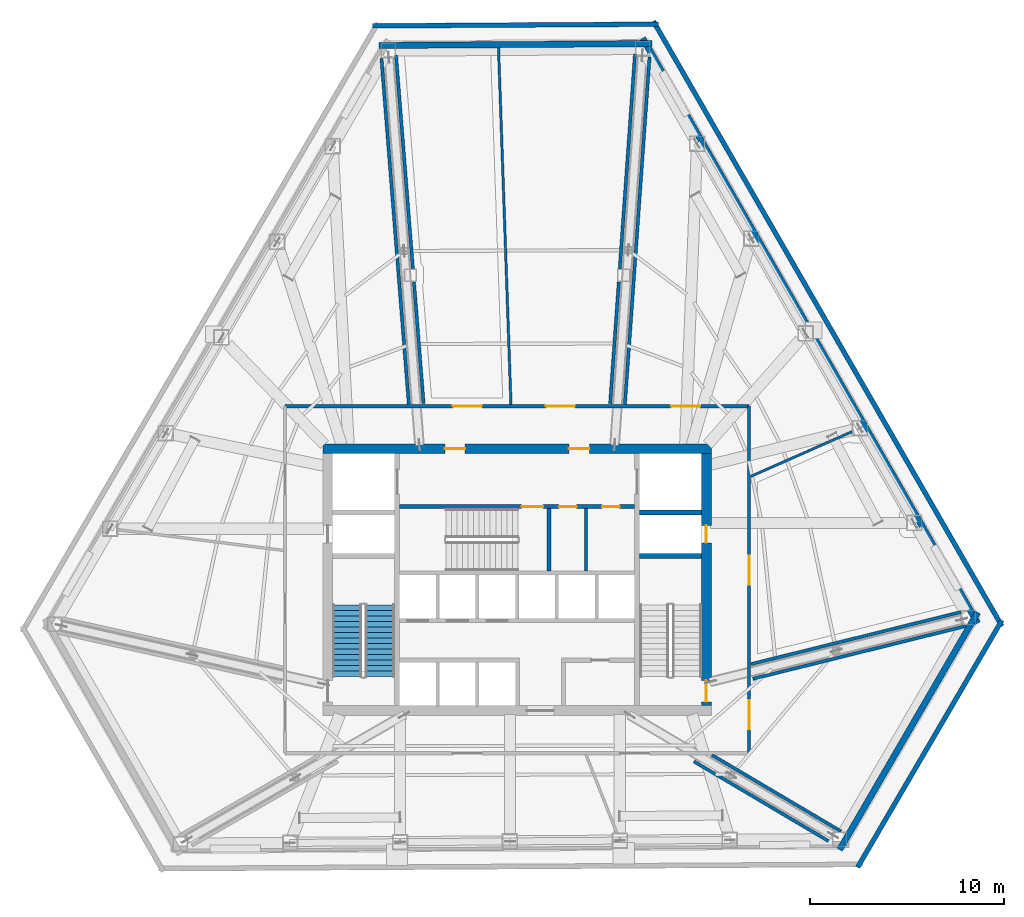
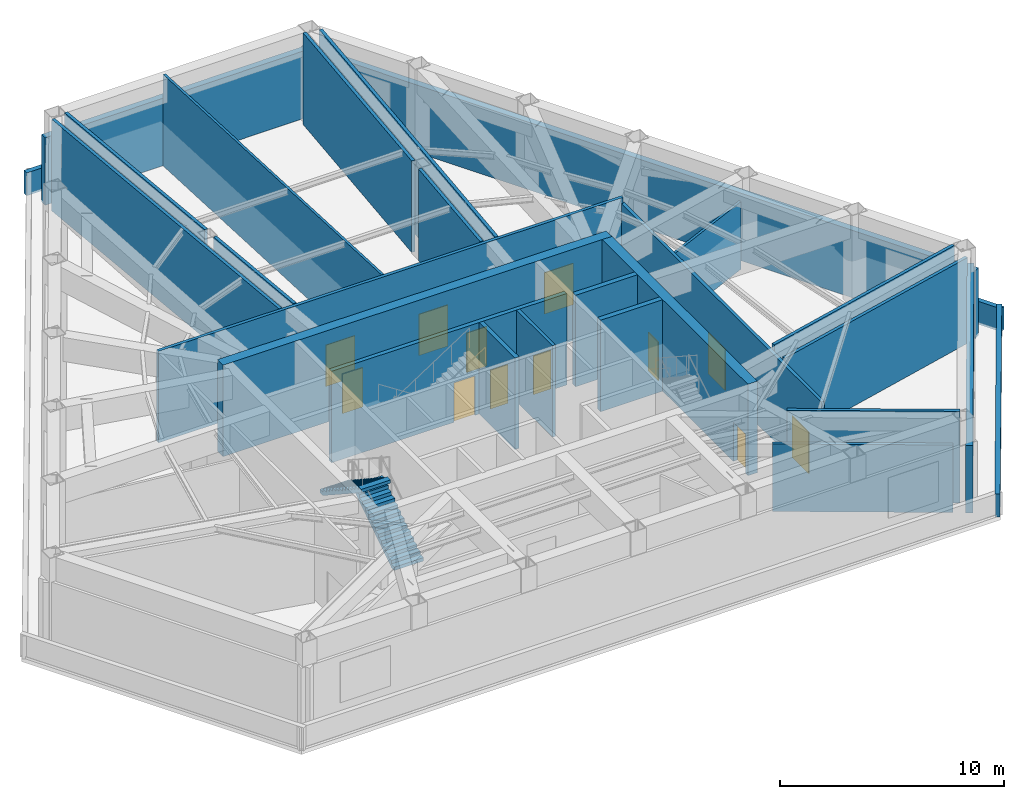
# One storey, part 9 of 12: 27 walls, 12 doors, 2 stair flights, 12 openings, 1 element without a shape of its own.
"""IFC4 building model written with IfcOpenShell, lengths in metres."""

from ifc_helpers import new_model, si_unit, direction, frame, frame_2d, origin, place, context, subcontext, project, spatial, polyline, rectangle, outline, extrude, material, layer, layer_set, type_object, element, fill, aggregate, save


model = new_model("IFC4")

# Units and contexts
model_context = context("Model", 3, precision=1e-05, world=origin(), true_north=direction((0.0, 1.0)))
body_context = subcontext(model_context, "Body", "Model", "MODEL_VIEW")
ifc_project = project(units=[si_unit("LENGTHUNIT", "METRE"), si_unit("AREAUNIT", "SQUARE_METRE"), si_unit("VOLUMEUNIT", "CUBIC_METRE"), si_unit("PLANEANGLEUNIT", "RADIAN"), si_unit("MASSUNIT", "GRAM", prefix="KILO")], contexts=[model_context])

# Site, building, storey
site_placement = place(None, origin())
site = spatial("IfcSite", under=ifc_project, at=site_placement, CompositionType="ELEMENT")
building_placement = place(site_placement, origin())
building = spatial("IfcBuilding", under=site, at=building_placement, Name="Kavelnor Concourse Tower", CompositionType="ELEMENT")
storey_placement = place(building_placement, frame((0.0, 0.0, 75.300048828125)))
storey = spatial("IfcBuildingStorey", under=building, at=storey_placement, Name="L19", CompositionType="ELEMENT", Elevation=75.300048828125)

# Wall, openings, doors
ifc_material_1 = material(Name="Concrete C60/75", Category="concrete")
ifc_layer_1 = layer(ifc_material_1, 0.5, Name="Concrete C60/75")
ifc_layer_set_1 = layer_set([ifc_layer_1], Name="Concrete C60/75")
wall_type_1 = type_object("IfcWallType", Name="WL-CORE-Z2-500", PredefinedType="SOLIDWALL", material=ifc_layer_set_1)
wall_1_placement = place(storey_placement, frame((27.97998046875, 22.85009765625, 0.0), z_axis=(0.0, 0.0, 1.0), x_axis=(1.0, 0.0, 0.0)))
wall_1 = element("IfcWall", 1, at=wall_1_placement, inside=storey, type_object=wall_type_1, Name="L19 Central Core North Shear Wall", PredefinedType="SOLIDWALL", context=body_context, shape_type="SweptSolid", body=[
    extrude(rectangle(XDim=20.0400390625, YDim=0.5, at=frame_2d((10.02001953125, 0.0))), origin(), (0.0, 0.0, 1.0), 4.98486328125),
])
opening_1_placement = place(wall_1_placement, frame((6.294921875, 0.0, 0.0)))
opening_1 = element("IfcOpeningElement", 2, at=opening_1_placement, cuts=wall_1, Name="Opening FD-105", PredefinedType="OPENING", context=body_context, shape_type="SweptSolid", body=[
    extrude(rectangle(XDim=1.050048828125, YDim=2.14990234375, at=frame_2d((0.52490234375, 1.074951171875))), frame((0.0, 0.260009765625, 0.0), z_axis=(0.0, -1.0, 0.0), x_axis=(1.0, 0.0, 0.0)), (0.0, 0.0, 1.0), 0.52001953125),
])
opening_2_placement = place(wall_1_placement, frame((12.695068359375, 0.0, 0.0)))
opening_2 = element("IfcOpeningElement", 3, at=opening_2_placement, cuts=wall_1, Name="Opening FD-105", PredefinedType="OPENING", context=body_context, shape_type="SweptSolid", body=[
    extrude(rectangle(XDim=1.050048828125, YDim=2.14990234375, at=frame_2d((0.52490234375, 1.074951171875))), frame((0.0, 0.260009765625, 0.0), z_axis=(0.0, -1.0, 0.0), x_axis=(1.0, 0.0, 0.0)), (0.0, 0.0, 1.0), 0.52001953125),
])
ifc_material_2 = material(Name="Steel Grade 350", Category="steel")
door_type_1 = type_object("IfcDoorType", Name="DR-LOBBY-FIRE-1050", OperationType="NOTDEFINED", PredefinedType="DOOR", material=ifc_material_2)
door_1_placement = place(opening_1_placement, origin())
door_1 = element("IfcDoor", 4, at=door_1_placement, inside=storey, type_object=door_type_1, Name="L19 Emergency Lift Lobby West Door", OperationType="SINGLE_SWING_LEFT", OverallHeight=2.14990234375, OverallWidth=1.050048828125, PredefinedType="DOOR", context=body_context, shape_type="SweptSolid", body=[
    extrude(rectangle(XDim=1.050048828125, YDim=2.14990234375, at=frame_2d((0.52490234375, 1.074951171875))), frame((0.0, 0.02490234375, 0.0), z_axis=(0.0, -1.0, 0.0), x_axis=(1.0, 0.0, 0.0)), (0.0, 0.0, 1.0), 0.050048828125),
])
fill(opening_1, door_1)
door_2_placement = place(opening_2_placement, origin())
door_2 = element("IfcDoor", 5, at=door_2_placement, inside=storey, type_object=door_type_1, Name="L19 Emergency Lift Lobby East Door", OperationType="SINGLE_SWING_RIGHT", OverallHeight=2.14990234375, OverallWidth=1.050048828125, PredefinedType="DOOR", context=body_context, shape_type="SweptSolid", body=[
    extrude(rectangle(XDim=1.050048828125, YDim=2.14990234375, at=frame_2d((0.52490234375, 1.074951171875))), frame((0.0, 0.02490234375, 0.0), z_axis=(0.0, -1.0, 0.0), x_axis=(1.0, 0.0, 0.0)), (0.0, 0.0, 1.0), 0.050048828125),
])
fill(opening_2, door_2)

wall_2_placement = place(storey_placement, frame((47.77001953125, 9.60009765625, 0.0), z_axis=(0.0, 0.0, 1.0), x_axis=(0.0, 1.0, 0.0)))
wall_2 = element("IfcWall", 6, at=wall_2_placement, inside=storey, type_object=wall_type_1, Name="L19 Central Core East Shear Wall", PredefinedType="SOLIDWALL", context=body_context, shape_type="SweptSolid", body=[
    extrude(rectangle(XDim=13.0, YDim=0.5, at=frame_2d((6.5, 0.0))), origin(), (0.0, 0.0, 1.0), 4.98486328125),
])
opening_3_placement = place(wall_2_placement, frame((0.199951171875, 0.0, 0.0)))
opening_3 = element("IfcOpeningElement", 7, at=opening_3_placement, cuts=wall_2, Name="Opening FD-110", PredefinedType="OPENING", context=body_context, shape_type="SweptSolid", body=[
    extrude(rectangle(XDim=1.10009765625, YDim=2.14990234375, at=frame_2d((0.550048828125, 1.074951171875))), frame((0.0, 0.260009765625, 0.0), z_axis=(0.0, -1.0, 0.0), x_axis=(1.0, 0.0, 0.0)), (0.0, 0.0, 1.0), 0.52001953125),
])
opening_4_placement = place(wall_2_placement, frame((8.39990234375, 0.0, 0.0)))
opening_4 = element("IfcOpeningElement", 8, at=opening_4_placement, cuts=wall_2, Name="Opening FD-090", PredefinedType="OPENING", context=body_context, shape_type="SweptSolid", body=[
    extrude(rectangle(XDim=0.89990234375, YDim=2.10009765625, at=frame_2d((0.449951171875, 1.050048828125))), frame((0.0, 0.260009765625, 0.0), z_axis=(0.0, -1.0, 0.0), x_axis=(1.0, 0.0, 0.0)), (0.0, 0.0, 1.0), 0.52001953125),
])
door_type_2 = type_object("IfcDoorType", Name="DR-RISER-FIRE-900", OperationType="NOTDEFINED", PredefinedType="DOOR", material=ifc_material_2)
door_3_placement = place(opening_4_placement, origin())
door_3 = element("IfcDoor", 9, at=door_3_placement, inside=storey, type_object=door_type_2, Name="L19 East Riser Access Door", OperationType="SINGLE_SWING_LEFT", OverallHeight=2.10009765625, OverallWidth=0.89990234375, PredefinedType="DOOR", context=body_context, shape_type="SweptSolid", body=[
    extrude(rectangle(XDim=0.89990234375, YDim=2.10009765625, at=frame_2d((0.449951171875, 1.050048828125))), frame((0.0, 0.02490234375, 0.0), z_axis=(0.0, -1.0, 0.0), x_axis=(1.0, 0.0, 0.0)), (0.0, 0.0, 1.0), 0.050048828125),
])
fill(opening_4, door_3)
door_type_3 = type_object("IfcDoorType", Name="DR-STAIR-FIRE-1100", OperationType="NOTDEFINED", PredefinedType="DOOR", material=ifc_material_2)
door_4_placement = place(opening_3_placement, origin())
door_4 = element("IfcDoor", 10, at=door_4_placement, inside=storey, type_object=door_type_3, Name="L19 Stair ST2 Fire Door", OperationType="SINGLE_SWING_RIGHT", OverallHeight=2.14990234375, OverallWidth=1.10009765625, PredefinedType="DOOR", context=body_context, shape_type="SweptSolid", body=[
    extrude(rectangle(XDim=1.10009765625, YDim=2.14990234375, at=frame_2d((0.550048828125, 1.074951171875))), frame((0.0, 0.02490234375, 0.0), z_axis=(0.0, -1.0, 0.0), x_axis=(1.0, 0.0, 0.0)), (0.0, 0.0, 1.0), 0.050048828125),
])
fill(opening_3, door_4)

# Walls
ifc_material_3 = material(Name="Buff ironspot clay face brick masonry", Category="masonry")
ifc_layer_2 = layer(ifc_material_3, 0.320068359375, Name="Buff ironspot clay face brick masonry")
ifc_layer_set_2 = layer_set([ifc_layer_2], Name="Buff ironspot clay face brick masonry")
wall_type_2 = type_object("IfcWallType", Name="WL-EXT-BUFF-BRICK-SPANDREL-320", PredefinedType="STANDARD", material=ifc_layer_set_2)
wall_3_placement = place(storey_placement, frame((30.87939453125, 43.65478515625, 0.0), z_axis=(0.0, 0.0, 1.0), x_axis=(0.999976431896, 0.006865540883, 0.0)))
element("IfcWall", 11, at=wall_3_placement, inside=storey, type_object=wall_type_2, Name="L19 Exterior Brick Facade Wall E0", PredefinedType="STANDARD", context=body_context, shape_type="SweptSolid", body=[
    extrude(rectangle(XDim=14.081787109375, YDim=0.320068359375, at=frame_2d((7.041015625, 0.0))), origin(), (0.0, 0.0, 1.0), 3.677001953125),
])
wall_4_placement = place(storey_placement, frame((61.76220703125, 14.411865234375, 0.0), z_axis=(0.0, 0.0, 1.0), x_axis=(-0.502945792992, -0.864317956143, 0.0)))
element("IfcWall", 12, at=wall_4_placement, inside=storey, type_object=wall_type_2, Name="L19 Exterior Brick Facade Wall E4", PredefinedType="STANDARD", context=body_context, shape_type="SweptSolid", body=[
    extrude(rectangle(XDim=14.1630859375, YDim=0.320068359375, at=frame_2d((7.08154296875, 0.0))), origin(), (0.0, 0.0, 1.0), 3.677001953125),
])
wall_5_placement = place(storey_placement, frame((44.47802734375, 44.029296875, 0.0), z_axis=(0.0, 0.0, 1.0), x_axis=(0.497006709314, -0.867746697428, 0.0)))
element("IfcWall", 13, at=wall_5_placement, inside=storey, type_object=wall_type_2, Name="L19 Exterior Brick Facade Wall E5", PredefinedType="STANDARD", context=body_context, shape_type="SweptSolid", body=[
    extrude(rectangle(XDim=34.772705078125, YDim=0.320068359375, at=frame_2d((17.38623046875, 0.0))), origin(), (0.0, 0.0, 1.0), 3.677001953125),
])
ifc_material_4 = material(Name="Gypsum plasterboard on light-gauge steel studs", Category="steel")
ifc_layer_3 = layer(ifc_material_4, 0.1650390625, Name="Gypsum plasterboard on light-gauge steel studs")
ifc_layer_set_3 = layer_set([ifc_layer_3], Name="Gypsum plasterboard on light-gauge steel studs")
wall_type_3 = type_object("IfcWallType", Name="WL-INT-FIRE-165", PredefinedType="PARTITIONING", material=ifc_layer_set_3)
wall_6_placement = place(storey_placement, frame((41.550048828125, 16.56005859375, 0.0), z_axis=(0.0, 0.0, 1.0), x_axis=(0.0, 1.0, 0.0)))
element("IfcWall", 14, at=wall_6_placement, inside=storey, type_object=wall_type_3, Name="L19 Core North Support Divider", PredefinedType="PARTITIONING", context=body_context, shape_type="SweptSolid", body=[
    extrude(rectangle(XDim=3.199951171875, YDim=0.1650390625, at=frame_2d((1.60009765625, 0.0))), origin(), (0.0, 0.0, 1.0), 4.98486328125),
])

# Wall, openings, doors
wall_7_placement = place(storey_placement, frame((26.030029296875, 25.050048828125, 0.0), z_axis=(0.0, 0.0, 1.0), x_axis=(1.0, 0.0, 0.0)))
wall_7 = element("IfcWall", 15, at=wall_7_placement, inside=storey, type_object=wall_type_3, Name="L19 Corridor Wall WL-L19-CR-N", PredefinedType="PARTITIONING", context=body_context, shape_type="SweptSolid", body=[
    extrude(rectangle(XDim=23.93994140625, YDim=0.1650390625, at=frame_2d((11.969970703125, 0.0))), origin(), (0.0, 0.0, 1.0), 4.98486328125),
])
opening_5_placement = place(wall_7_placement, frame((19.91064453125, 0.0, 0.0)))
opening_5 = element("IfcOpeningElement", 16, at=opening_5_placement, cuts=wall_7, Name="Opening PD-150", PredefinedType="OPENING", context=body_context, shape_type="SweptSolid", body=[
    extrude(rectangle(XDim=1.5, YDim=2.25, at=frame_2d((0.75, 1.125))), frame((0.0, 0.092529296875, 0.0), z_axis=(0.0, -1.0, 0.0), x_axis=(1.0, 0.0, 0.0)), (0.0, 0.0, 1.0), 0.18505859375),
])
opening_6_placement = place(wall_7_placement, frame((13.457763671875, 0.0, 0.0)))
opening_6 = element("IfcOpeningElement", 17, at=opening_6_placement, cuts=wall_7, Name="Opening PD-150", PredefinedType="OPENING", context=body_context, shape_type="SweptSolid", body=[
    extrude(rectangle(XDim=1.5, YDim=2.25, at=frame_2d((0.75, 1.125))), frame((0.0, 0.092529296875, 0.0), z_axis=(0.0, -1.0, 0.0), x_axis=(1.0, 0.0, 0.0)), (0.0, 0.0, 1.0), 0.18505859375),
])
opening_7_placement = place(wall_7_placement, frame((8.655517578125, 0.0, 0.0)))
opening_7 = element("IfcOpeningElement", 18, at=opening_7_placement, cuts=wall_7, Name="Opening PD-150", PredefinedType="OPENING", context=body_context, shape_type="SweptSolid", body=[
    extrude(rectangle(XDim=1.5, YDim=2.25, at=frame_2d((0.75, 1.125))), frame((0.0, 0.092529296875, 0.0), z_axis=(0.0, -1.0, 0.0), x_axis=(1.0, 0.0, 0.0)), (0.0, 0.0, 1.0), 0.18505859375),
])
door_type_4 = type_object("IfcDoorType", Name="DR-PLANT-1500", OperationType="NOTDEFINED", PredefinedType="DOOR", material=ifc_material_2)
door_5_placement = place(opening_5_placement, origin())
door_5 = element("IfcDoor", 19, at=door_5_placement, inside=storey, type_object=door_type_4, Name="L19 Refuge Area North-West 02 Door", OperationType="DOUBLE_DOOR_SINGLE_SWING", OverallHeight=2.25, OverallWidth=1.5, PredefinedType="DOOR", context=body_context, shape_type="SweptSolid", body=[
    extrude(rectangle(XDim=1.5, YDim=2.25, at=frame_2d((0.75, 1.125))), frame((0.0, 0.02490234375, 0.0), z_axis=(0.0, -1.0, 0.0), x_axis=(1.0, 0.0, 0.0)), (0.0, 0.0, 1.0), 0.050048828125),
])
fill(opening_5, door_5)
door_6_placement = place(opening_6_placement, origin())
door_6 = element("IfcDoor", 20, at=door_6_placement, inside=storey, type_object=door_type_4, Name="L19 Air Handling and Chiller Plant Room 03 Door", OperationType="DOUBLE_DOOR_SINGLE_SWING", OverallHeight=2.25, OverallWidth=1.5, PredefinedType="DOOR", context=body_context, shape_type="SweptSolid", body=[
    extrude(rectangle(XDim=1.5, YDim=2.25, at=frame_2d((0.75, 1.125))), frame((0.0, 0.02490234375, 0.0), z_axis=(0.0, -1.0, 0.0), x_axis=(1.0, 0.0, 0.0)), (0.0, 0.0, 1.0), 0.050048828125),
])
fill(opening_6, door_6)
door_7_placement = place(opening_7_placement, origin())
door_7 = element("IfcDoor", 21, at=door_7_placement, inside=storey, type_object=door_type_4, Name="L19 Refuge Area South-West 04 Door", OperationType="DOUBLE_DOOR_SINGLE_SWING", OverallHeight=2.25, OverallWidth=1.5, PredefinedType="DOOR", context=body_context, shape_type="SweptSolid", body=[
    extrude(rectangle(XDim=1.5, YDim=2.25, at=frame_2d((0.75, 1.125))), frame((0.0, 0.02490234375, 0.0), z_axis=(0.0, -1.0, 0.0), x_axis=(1.0, 0.0, 0.0)), (0.0, 0.0, 1.0), 0.050048828125),
])
fill(opening_7, door_7)

wall_8_placement = place(storey_placement, frame((49.969970703125, 7.14990234375, 0.0), z_axis=(0.0, 0.0, 1.0), x_axis=(0.0, 1.0, 0.0)))
wall_8 = element("IfcWall", 22, at=wall_8_placement, inside=storey, type_object=wall_type_3, Name="L19 Corridor Wall WL-L19-CR-E", PredefinedType="PARTITIONING", context=body_context, shape_type="SweptSolid", body=[
    extrude(rectangle(XDim=17.900146484375, YDim=0.1650390625, at=frame_2d((8.9501953125, 0.0))), origin(), (0.0, 0.0, 1.0), 4.6728515625),
])
opening_8_placement = place(wall_8_placement, frame((8.693603515625, 0.0, 0.0)))
opening_8 = element("IfcOpeningElement", 23, at=opening_8_placement, cuts=wall_8, Name="Opening PD-150", PredefinedType="OPENING", context=body_context, shape_type="SweptSolid", body=[
    extrude(rectangle(XDim=1.5, YDim=2.25, at=frame_2d((0.75, 1.125))), frame((0.0, 0.092529296875, 0.0), z_axis=(0.0, -1.0, 0.0), x_axis=(1.0, 0.0, 0.0)), (0.0, 0.0, 1.0), 0.18505859375),
])
opening_9_placement = place(wall_8_placement, frame((1.235107421875, 0.0, 0.0)))
opening_9 = element("IfcOpeningElement", 24, at=opening_9_placement, cuts=wall_8, Name="Opening PD-150", PredefinedType="OPENING", context=body_context, shape_type="SweptSolid", body=[
    extrude(rectangle(XDim=1.5, YDim=2.25, at=frame_2d((0.75, 1.125))), frame((0.0, 0.092529296875, 0.0), z_axis=(0.0, -1.0, 0.0), x_axis=(1.0, 0.0, 0.0)), (0.0, 0.0, 1.0), 0.18505859375),
])
door_8_placement = place(opening_8_placement, origin())
door_8 = element("IfcDoor", 25, at=door_8_placement, inside=storey, type_object=door_type_4, Name="L19 Refuge Area North-East 01 Door", OperationType="DOUBLE_DOOR_SINGLE_SWING", OverallHeight=2.25, OverallWidth=1.5, PredefinedType="DOOR", context=body_context, shape_type="SweptSolid", body=[
    extrude(rectangle(XDim=1.5, YDim=2.25, at=frame_2d((0.75, 1.125))), frame((0.0, 0.02490234375, 0.0), z_axis=(0.0, -1.0, 0.0), x_axis=(1.0, 0.0, 0.0)), (0.0, 0.0, 1.0), 0.050048828125),
])
fill(opening_8, door_8)
door_9_placement = place(opening_9_placement, origin())
door_9 = element("IfcDoor", 26, at=door_9_placement, inside=storey, type_object=door_type_4, Name="L19 Refuge Area South-West 10 Door", OperationType="DOUBLE_DOOR_SINGLE_SWING", OverallHeight=2.25, OverallWidth=1.5, PredefinedType="DOOR", context=body_context, shape_type="SweptSolid", body=[
    extrude(rectangle(XDim=1.5, YDim=2.25, at=frame_2d((0.75, 1.125))), frame((0.0, 0.02490234375, 0.0), z_axis=(0.0, -1.0, 0.0), x_axis=(1.0, 0.0, 0.0)), (0.0, 0.0, 1.0), 0.050048828125),
])
fill(opening_9, door_9)

# Walls
wall_9_placement = place(storey_placement, frame((32.4169921875, 25.14990234375, 0.0), z_axis=(0.0, 0.0, 1.0), x_axis=(-0.078880286834, 0.996884095745, 0.0)))
element("IfcWall", 27, at=wall_9_placement, inside=storey, type_object=wall_type_3, Name="L19 Outrigger Truss Zone Wall 1L", PredefinedType="PARTITIONING", context=body_context, shape_type="SweptSolid", body=[
    extrude(rectangle(XDim=17.88330078125, YDim=0.1650390625, at=frame_2d((8.941650390625, 0.0))), origin(), (0.0, 0.0, 1.0), 4.98486328125),
])
wall_10_placement = place(storey_placement, frame((33.177001953125, 25.179931640625, 0.0), z_axis=(0.0, 0.0, 1.0), x_axis=(-0.078865664547, 0.996885252652, 0.0)))
element("IfcWall", 28, at=wall_10_placement, inside=storey, type_object=wall_type_3, Name="L19 Outrigger Truss Zone Wall 1R", PredefinedType="PARTITIONING", context=body_context, shape_type="SweptSolid", body=[
    extrude(rectangle(XDim=6.299560546875, YDim=0.1650390625, at=frame_2d((3.14990234375, 0.0))), origin(), (0.0, 0.0, 1.0), 4.98486328125),
])
wall_11_placement = place(storey_placement, frame((32.626220703125, 32.139892578125, 0.0), z_axis=(0.0, 0.0, 1.0), x_axis=(-0.078892101665, 0.996883160804, 0.0)))
element("IfcWall", 29, at=wall_11_placement, inside=storey, type_object=wall_type_3, Name="L19 Outrigger Truss Zone Wall 1R", PredefinedType="PARTITIONING", context=body_context, shape_type="SweptSolid", body=[
    extrude(rectangle(XDim=11.044677734375, YDim=0.1650390625, at=frame_2d((5.5224609375, 0.0))), origin(), (0.0, 0.0, 1.0), 4.98486328125),
])
wall_12_placement = place(storey_placement, frame((48.059814453125, 7.050048828125, 0.0), z_axis=(0.0, 0.0, 1.0), x_axis=(0.860791315367, -0.50895806447, 0.0)))
element("IfcWall", 30, at=wall_12_placement, inside=storey, type_object=wall_type_3, Name="L19 Outrigger Truss Zone Wall 4L", PredefinedType="PARTITIONING", context=body_context, shape_type="SweptSolid", body=[
    extrude(rectangle(XDim=7.730224609375, YDim=0.1650390625, at=frame_2d((3.865234375, 0.0))), origin(), (0.0, 0.0, 1.0), 4.98486328125),
])
wall_13_placement = place(storey_placement, frame((47.11962890625, 6.722900390625, 0.0), z_axis=(0.0, 0.0, 1.0), x_axis=(0.860793963914, -0.508953585005, 0.0)))
element("IfcWall", 31, at=wall_13_placement, inside=storey, type_object=wall_type_3, Name="L19 Outrigger Truss Zone Wall 4R", PredefinedType="PARTITIONING", context=body_context, shape_type="SweptSolid", body=[
    extrude(rectangle(XDim=8.06787109375, YDim=0.1650390625, at=frame_2d((4.033935546875, 0.0))), origin(), (0.0, 0.0, 1.0), 3.679931640625),
])
wall_14_placement = place(storey_placement, frame((50.070068359375, 11.74462890625, 0.0), z_axis=(0.0, 0.0, 1.0), x_axis=(0.970601993591, 0.240690195143, 0.0)))
element("IfcWall", 32, at=wall_14_placement, inside=storey, type_object=wall_type_3, Name="L19 Outrigger Truss Zone Wall 5L", PredefinedType="PARTITIONING", context=body_context, shape_type="SweptSolid", body=[
    extrude(rectangle(XDim=11.146484375, YDim=0.1650390625, at=frame_2d((5.5732421875, 0.0))), origin(), (0.0, 0.0, 1.0), 4.98486328125),
])
wall_15_placement = place(storey_placement, frame((50.16162109375, 10.984375, 0.0), z_axis=(0.0, 0.0, 1.0), x_axis=(0.970603697432, 0.240683324167, 0.0)))
element("IfcWall", 33, at=wall_15_placement, inside=storey, type_object=wall_type_3, Name="L19 Outrigger Truss Zone Wall 5R", PredefinedType="PARTITIONING", context=body_context, shape_type="SweptSolid", body=[
    extrude(rectangle(XDim=11.322265625, YDim=0.1650390625, at=frame_2d((5.6611328125, 0.0))), origin(), (0.0, 0.0, 1.0), 4.6728515625),
])
wall_16_placement = place(storey_placement, frame((42.802001953125, 25.177001953125, 0.0), z_axis=(0.0, 0.0, 1.0), x_axis=(0.07085314912, 0.997486757436, 0.0)))
element("IfcWall", 34, at=wall_16_placement, inside=storey, type_object=wall_type_3, Name="L19 Outrigger Truss Zone Wall 6L", PredefinedType="PARTITIONING", context=body_context, shape_type="SweptSolid", body=[
    extrude(rectangle(XDim=6.298828125, YDim=0.1650390625, at=frame_2d((3.1494140625, 0.0))), origin(), (0.0, 0.0, 1.0), 4.98486328125),
])
wall_17_placement = place(storey_placement, frame((43.29638671875, 32.139892578125, 0.0), z_axis=(0.0, 0.0, 1.0), x_axis=(0.070840543491, 0.997487652755, 0.0)))
element("IfcWall", 35, at=wall_17_placement, inside=storey, type_object=wall_type_3, Name="L19 Outrigger Truss Zone Wall 6L", PredefinedType="PARTITIONING", context=body_context, shape_type="SweptSolid", body=[
    extrude(rectangle(XDim=11.09716796875, YDim=0.1650390625, at=frame_2d((5.548583984375, 0.0))), origin(), (0.0, 0.0, 1.0), 4.98486328125),
])
wall_18_placement = place(storey_placement, frame((43.56201171875, 25.14990234375, 0.0), z_axis=(0.0, 0.0, 1.0), x_axis=(0.070828551783, 0.997488504321, 0.0)))
element("IfcWall", 36, at=wall_18_placement, inside=storey, type_object=wall_type_3, Name="L19 Outrigger Truss Zone Wall 6R", PredefinedType="PARTITIONING", context=body_context, shape_type="SweptSolid", body=[
    extrude(rectangle(XDim=17.95166015625, YDim=0.1650390625, at=frame_2d((8.975830078125, 0.0))), origin(), (0.0, 0.0, 1.0), 4.98486328125),
])
ifc_layer_4 = layer(ifc_material_4, 0.125, Name="Gypsum plasterboard on light-gauge steel studs")
ifc_layer_set_4 = layer_set([ifc_layer_4], Name="Gypsum plasterboard on light-gauge steel studs")
wall_type_4 = type_object("IfcWallType", Name="WL-INT-SUITE-125", PredefinedType="PARTITIONING", material=ifc_layer_set_4)
wall_19_placement = place(storey_placement, frame((50.060546875, 21.4296875, 0.0), z_axis=(0.0, 0.0, 1.0), x_axis=(0.914660112996, 0.404223796545, 0.0)))
element("IfcWall", 37, at=wall_19_placement, inside=storey, type_object=wall_type_4, Name="L19 Radial Suite Partition 01", PredefinedType="PARTITIONING", context=body_context, shape_type="SweptSolid", body=[
    extrude(rectangle(XDim=5.705078125, YDim=0.125, at=frame_2d((2.8525390625, 0.0))), origin(), (0.0, 0.0, 1.0), 3.679931640625),
])
wall_20_placement = place(storey_placement, frame((37.684326171875, 25.140380859375, 0.0), z_axis=(0.0, 0.0, 1.0), x_axis=(-0.034896584606, 0.999390928707, 0.0)))
element("IfcWall", 38, at=wall_20_placement, inside=storey, type_object=wall_type_4, Name="L19 Radial Suite Partition 02", PredefinedType="PARTITIONING", context=body_context, shape_type="SweptSolid", body=[
    extrude(rectangle(XDim=18.392822265625, YDim=0.125, at=frame_2d((9.1962890625, 0.0))), origin(), (0.0, 0.0, 1.0), 4.98486328125),
])
ifc_material_5 = material(Name="Red-ochre clay face brick masonry", Category="masonry")
ifc_layer_5 = layer(ifc_material_5, 0.239990234375, Name="Red-ochre clay face brick masonry")
ifc_layer_set_5 = layer_set([ifc_layer_5], Name="Red-ochre clay face brick masonry")
wall_type_5 = type_object("IfcWallType", Name="WL-PARAPET-BRICK-240", PredefinedType="PARAPET", material=ifc_layer_set_5)
wall_21_placement = place(storey_placement, frame((45.300537109375, 44.75341796875, 0.0), z_axis=(0.0, 0.0, 1.0), x_axis=(-0.99998214815, -0.00597523058, 0.0)))
element("IfcWall", 39, at=wall_21_placement, inside=storey, type_object=wall_type_5, Name="L19 Setback Roof Brick Parapet E0", PredefinedType="PARAPET", context=body_context, shape_type="SweptSolid", body=[
    extrude(rectangle(XDim=14.75, YDim=0.239990234375, at=frame_2d((7.375, 0.0))), origin(), (0.0, 0.0, 1.0), 1.25),
])
wall_22_placement = place(storey_placement, frame((55.5625, 1.2587890625, 0.0), z_axis=(0.0, 0.0, 1.0), x_axis=(0.504414565423, 0.863461606668, 0.0)))
element("IfcWall", 40, at=wall_22_placement, inside=storey, type_object=wall_type_5, Name="L19 Setback Roof Brick Parapet E4", PredefinedType="PARAPET", context=body_context, shape_type="SweptSolid", body=[
    extrude(rectangle(XDim=14.77099609375, YDim=0.239990234375, at=frame_2d((7.385498046875, 0.0))), origin(), (0.0, 0.0, 1.0), 1.25),
])
wall_23_placement = place(storey_placement, frame((63.01220703125, 13.699462890625, 0.0), z_axis=(0.0, 0.0, 1.0), x_axis=(-0.499261971682, 0.866451085539, 0.0)))
element("IfcWall", 41, at=wall_23_placement, inside=storey, type_object=wall_type_5, Name="L19 Setback Roof Brick Parapet E5", PredefinedType="PARAPET", context=body_context, shape_type="SweptSolid", body=[
    extrude(rectangle(XDim=36.0205078125, YDim=0.239990234375, at=frame_2d((18.01025390625, 0.0))), origin(), (0.0, 0.0, 1.0), 1.25),
])

# Wall, openings, doors
ifc_material_6 = material(Name="Concrete C50/60", Category="concrete")
ifc_layer_6 = layer(ifc_material_6, 0.219970703125, Name="Concrete C50/60")
ifc_layer_set_6 = layer_set([ifc_layer_6], Name="Concrete C50/60")
wall_type_6 = type_object("IfcWallType", Name="WL-SHAFT-220", PredefinedType="SOLIDWALL", material=ifc_layer_set_6)
wall_24_placement = place(storey_placement, frame((31.93994140625, 19.8701171875, 0.0), z_axis=(0.0, 0.0, 1.0), x_axis=(1.0, 0.0, 0.0)))
wall_24 = element("IfcWall", 42, at=wall_24_placement, inside=storey, type_object=wall_type_6, Name="L19 Emergency Lift Lobby South Wall", PredefinedType="SOLIDWALL", context=body_context, shape_type="SweptSolid", body=[
    extrude(rectangle(XDim=12.1201171875, YDim=0.219970703125, at=frame_2d((6.06005859375, 0.0))), origin(), (0.0, 0.0, 1.0), 4.98486328125),
])
opening_10_placement = place(wall_24_placement, frame((6.300048828125, 0.0, 0.0)))
opening_10 = element("IfcOpeningElement", 43, at=opening_10_placement, cuts=wall_24, Name="Opening FD-110", PredefinedType="OPENING", context=body_context, shape_type="SweptSolid", body=[
    extrude(rectangle(XDim=1.10009765625, YDim=2.14990234375, at=frame_2d((0.550048828125, 1.074951171875))), frame((0.0, 0.1201171875, 0.0), z_axis=(0.0, -1.0, 0.0), x_axis=(1.0, 0.0, 0.0)), (0.0, 0.0, 1.0), 0.239990234375),
])
opening_11_placement = place(wall_24_placement, frame((8.22998046875, 0.0, 0.0)))
opening_11 = element("IfcOpeningElement", 44, at=opening_11_placement, cuts=wall_24, Name="Opening FD-090", PredefinedType="OPENING", context=body_context, shape_type="SweptSolid", body=[
    extrude(rectangle(XDim=0.89990234375, YDim=2.10009765625, at=frame_2d((0.449951171875, 1.050048828125))), frame((0.0, 0.1201171875, 0.0), z_axis=(0.0, -1.0, 0.0), x_axis=(1.0, 0.0, 0.0)), (0.0, 0.0, 1.0), 0.239990234375),
])
opening_12_placement = place(wall_24_placement, frame((10.449951171875, 0.0, 0.0)))
opening_12 = element("IfcOpeningElement", 45, at=opening_12_placement, cuts=wall_24, Name="Opening FD-090", PredefinedType="OPENING", context=body_context, shape_type="SweptSolid", body=[
    extrude(rectangle(XDim=0.89990234375, YDim=2.10009765625, at=frame_2d((0.449951171875, 1.050048828125))), frame((0.0, 0.1201171875, 0.0), z_axis=(0.0, -1.0, 0.0), x_axis=(1.0, 0.0, 0.0)), (0.0, 0.0, 1.0), 0.239990234375),
])
door_10_placement = place(opening_11_placement, origin())
door_10 = element("IfcDoor", 46, at=door_10_placement, inside=storey, type_object=door_type_2, Name="L19 Telecom Room Door", OperationType="SINGLE_SWING_LEFT", OverallHeight=2.10009765625, OverallWidth=0.89990234375, PredefinedType="DOOR", context=body_context, shape_type="SweptSolid", body=[
    extrude(rectangle(XDim=0.89990234375, YDim=2.10009765625, at=frame_2d((0.449951171875, 1.050048828125))), frame((0.0, 0.02490234375, 0.0), z_axis=(0.0, -1.0, 0.0), x_axis=(1.0, 0.0, 0.0)), (0.0, 0.0, 1.0), 0.050048828125),
])
fill(opening_11, door_10)
door_11_placement = place(opening_12_placement, origin())
door_11 = element("IfcDoor", 47, at=door_11_placement, inside=storey, type_object=door_type_2, Name="L19 Janitor Store Door", OperationType="SINGLE_SWING_RIGHT", OverallHeight=2.10009765625, OverallWidth=0.89990234375, PredefinedType="DOOR", context=body_context, shape_type="SweptSolid", body=[
    extrude(rectangle(XDim=0.89990234375, YDim=2.10009765625, at=frame_2d((0.449951171875, 1.050048828125))), frame((0.0, 0.02490234375, 0.0), z_axis=(0.0, -1.0, 0.0), x_axis=(1.0, 0.0, 0.0)), (0.0, 0.0, 1.0), 0.050048828125),
])
fill(opening_12, door_11)
door_12_placement = place(opening_10_placement, origin())
door_12 = element("IfcDoor", 48, at=door_12_placement, inside=storey, type_object=door_type_3, Name="L19 Stair ST3 Fire Door", OperationType="SINGLE_SWING_LEFT", OverallHeight=2.14990234375, OverallWidth=1.10009765625, PredefinedType="DOOR", context=body_context, shape_type="SweptSolid", body=[
    extrude(rectangle(XDim=1.10009765625, YDim=2.14990234375, at=frame_2d((0.550048828125, 1.074951171875))), frame((0.0, 0.02490234375, 0.0), z_axis=(0.0, -1.0, 0.0), x_axis=(1.0, 0.0, 0.0)), (0.0, 0.0, 1.0), 0.050048828125),
])
fill(opening_10, door_12)

# Walls
wall_25_placement = place(storey_placement, frame((39.64990234375, 16.56005859375, 0.0), z_axis=(0.0, 0.0, 1.0), x_axis=(0.0, 1.0, 0.0)))
element("IfcWall", 49, at=wall_25_placement, inside=storey, type_object=wall_type_6, Name="L19 Stair ST3 East Core Wall", PredefinedType="SOLIDWALL", context=body_context, shape_type="SweptSolid", body=[
    extrude(rectangle(XDim=3.199951171875, YDim=0.219970703125, at=frame_2d((1.60009765625, 0.0))), origin(), (0.0, 0.0, 1.0), 4.98486328125),
])
ifc_layer_7 = layer(ifc_material_6, 0.260009765625, Name="Concrete C50/60")
ifc_layer_set_7 = layer_set([ifc_layer_7], Name="Concrete C50/60")
wall_type_7 = type_object("IfcWallType", Name="WL-SHAFT-260", PredefinedType="SHEAR", material=ifc_layer_set_7)
for number, where, z_axis, x_axis, name in (
    (50, (44.320068359375, 17.330078125, 0.0), (0.0, 0.0, 1.0), (1.0, 0.0, 0.0), "L19 Stair ST2 North Shaft Wall"),
    (51, (44.320068359375, 19.570068359375, 0.0), (0.0, 0.0, 1.0), (1.0, 0.0, 0.0), "L19 Emergency Lift FL2 South Shaft Wall"),
):
    element("IfcWall", number, at=place(storey_placement, frame(where, z_axis=z_axis, x_axis=x_axis)), inside=storey, type_object=wall_type_7, Name=name, PredefinedType="SHEAR", context=body_context, shape_type="SweptSolid", body=[
        extrude(rectangle(XDim=3.199951171875, YDim=0.260009765625, at=frame_2d((1.60009765625, 0.0))), origin(), (0.0, 0.0, 1.0), 4.98486328125),
    ])

# Stair, stair flights
ifc_material_7 = material(Name="Concrete C40/50", Category="concrete")
stair_type = type_object("IfcStairType", Name="STR-CORE-1500", PredefinedType="HALF_TURN_STAIR", material=ifc_material_7)
stair_placement = place(storey_placement, origin())
stair = element("IfcStair", 52, at=stair_placement, inside=storey, type_object=stair_type, Name="L19 ST1", PredefinedType="HALF_TURN_STAIR")
stair_flight_type = type_object("IfcStairFlightType", Name="STR-FLIGHT-1500", PredefinedType="STRAIGHT", material=ifc_material_7)
stair_flight_1_placement = place(storey_placement, frame((30.929931640625, 11.10009765625, 0.0), z_axis=(0.0, 0.0, 1.0), x_axis=(0.0, 1.0, 0.0)))
stair_flight_1 = element("IfcStairFlight", 53, at=stair_flight_1_placement, type_object=stair_flight_type, Name="ST1 flight 1", NumberOfRisers=14, NumberOfTreads=13, PredefinedType="STRAIGHT", RiserHeight=0.185714286, TreadLength=0.285, context=body_context, shape_type="SweptSolid", body=[
    extrude(outline(polyline([(0.0, 0.0), (0.0, 0.185791015625), (0.284912109375, 0.185791015625), (0.284912109375, 0.371337890625), (0.570068359375, 0.371337890625), (0.570068359375, 0.55712890625), (0.85498046875, 0.55712890625), (0.85498046875, 0.742919921875), (1.139892578125, 0.742919921875), (1.139892578125, 0.928466796875), (1.425048828125, 0.928466796875), (1.425048828125, 1.1142578125), (1.7099609375, 1.1142578125), (1.7099609375, 1.300048828125), (1.9951171875, 1.300048828125), (1.9951171875, 1.485595703125), (2.280029296875, 1.485595703125), (2.280029296875, 1.67138671875), (2.56494140625, 1.67138671875), (2.56494140625, 1.857177734375), (2.85009765625, 1.857177734375), (2.85009765625, 2.04296875), (3.135009765625, 2.04296875), (3.135009765625, 2.228515625), (3.419921875, 2.228515625), (3.419921875, 2.414306640625), (3.705078125, 2.414306640625), (3.705078125, 2.60009765625), (3.705078125, 2.2353515625), (0.274658203125, 0.0), (0.0, 0.0)])), frame((0.0, 0.75, 0.0), z_axis=(0.0, -1.0, 0.0), x_axis=(1.0, 0.0, 0.0)), (0.0, 0.0, 1.0), 1.5),
])
stair_flight_2_placement = place(storey_placement, frame((29.22998046875, 14.804931640625, 2.599853515625), z_axis=(0.0, 0.0, 1.0), x_axis=(0.0, -1.0, 0.0)))
stair_flight_2 = element("IfcStairFlight", 54, at=stair_flight_2_placement, type_object=stair_flight_type, Name="ST1 flight 2", NumberOfRisers=14, NumberOfTreads=13, PredefinedType="STRAIGHT", RiserHeight=0.185714286, TreadLength=0.285, context=body_context, shape_type="SweptSolid", body=[
    extrude(outline(polyline([(0.0, 0.0), (0.0, 0.185791015625), (0.284912109375, 0.185791015625), (0.284912109375, 0.371337890625), (0.570068359375, 0.371337890625), (0.570068359375, 0.55712890625), (0.85498046875, 0.55712890625), (0.85498046875, 0.742919921875), (1.139892578125, 0.742919921875), (1.139892578125, 0.928466796875), (1.425048828125, 0.928466796875), (1.425048828125, 1.1142578125), (1.7099609375, 1.1142578125), (1.7099609375, 1.300048828125), (1.9951171875, 1.300048828125), (1.9951171875, 1.485595703125), (2.280029296875, 1.485595703125), (2.280029296875, 1.67138671875), (2.56494140625, 1.67138671875), (2.56494140625, 1.857177734375), (2.85009765625, 1.857177734375), (2.85009765625, 2.04296875), (3.135009765625, 2.04296875), (3.135009765625, 2.228515625), (3.419921875, 2.228515625), (3.419921875, 2.414306640625), (3.705078125, 2.414306640625), (3.705078125, 2.60009765625), (3.705078125, 2.2353515625), (0.274658203125, 0.0), (0.0, 0.0)])), frame((0.0, 0.75, 0.0), z_axis=(0.0, -1.0, 0.0), x_axis=(1.0, 0.0, 0.0)), (0.0, 0.0, 1.0), 1.5),
])
aggregate(stair, [stair_flight_1, stair_flight_2])

save(model, "model.ifc")
